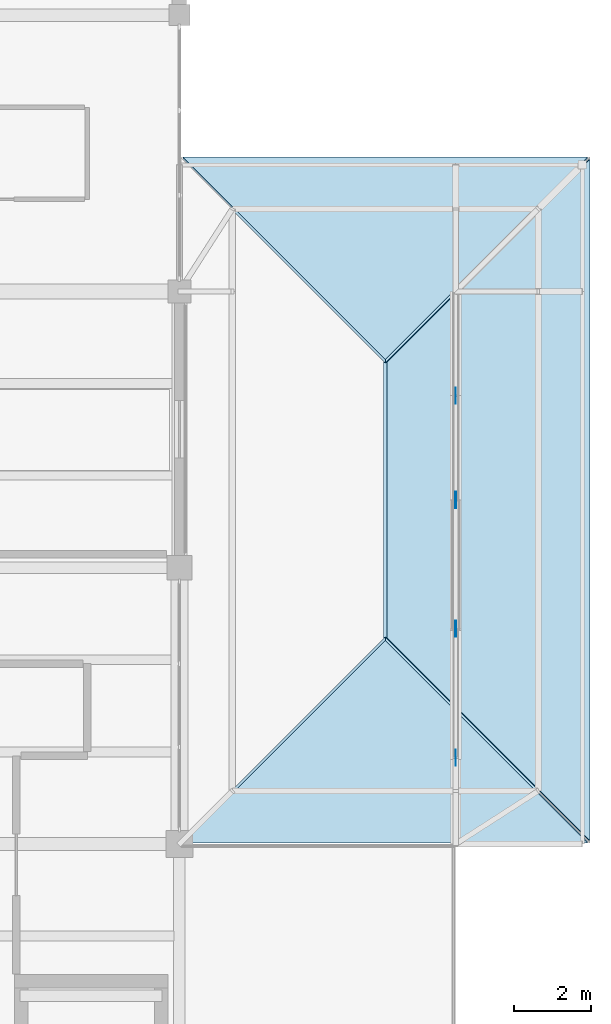
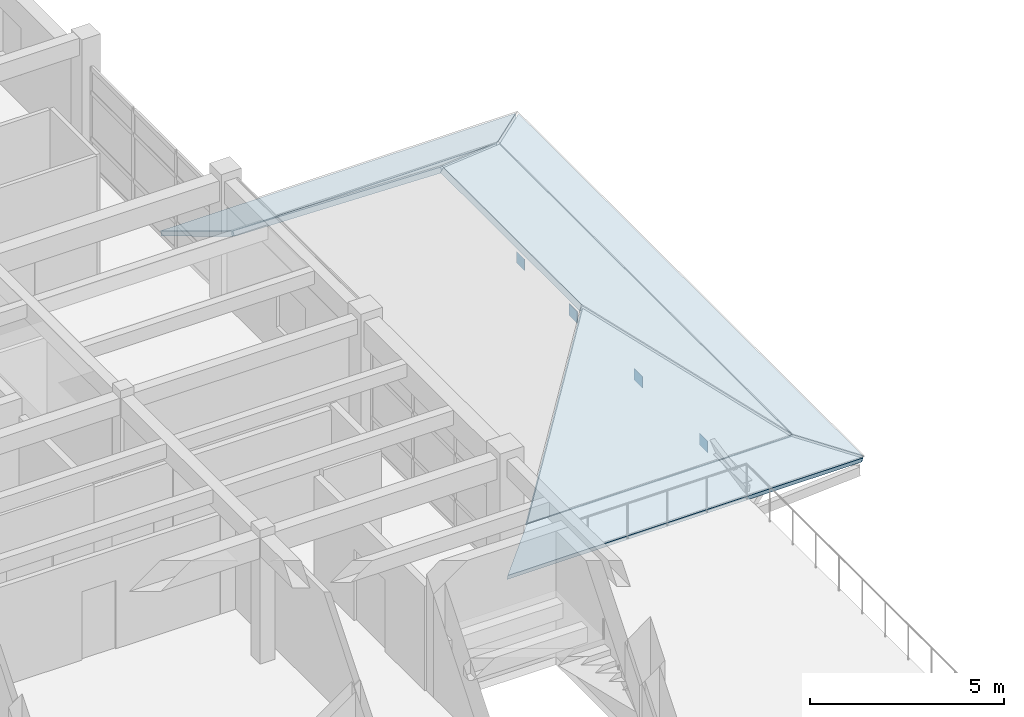
# One storey, part 31 of 55: 6 slabs, 4 plates, 1 element without a shape of its own.
"""IFC4 building model written with IfcOpenShell, lengths in metres."""

from ifc_helpers import new_model, si_unit, direction, frame, origin, origin_2d, place, context, subcontext, project, spatial, polyline, rectangle, outline, extrude, material, layer, layer_set, type_object, element, aggregate, save


model = new_model("IFC4")

# Units and contexts
model_context = context("Model", 3, precision=1e-05, world=origin(), true_north=direction((0.0, 1.0)))
body_context = subcontext(model_context, "Body", "Model", "MODEL_VIEW")
ifc_project = project(units=[si_unit("LENGTHUNIT", "METRE"), si_unit("AREAUNIT", "SQUARE_METRE"), si_unit("VOLUMEUNIT", "CUBIC_METRE"), si_unit("PLANEANGLEUNIT", "RADIAN"), si_unit("MASSUNIT", "GRAM", prefix="KILO")], contexts=[model_context])

# Site, building, storey
site_placement = place(None, origin())
site = spatial("IfcSite", under=ifc_project, at=site_placement, CompositionType="ELEMENT")
building_placement = place(site_placement, origin())
building = spatial("IfcBuilding", under=site, at=building_placement, Name="Steenspoor Specialist Clinic", CompositionType="ELEMENT")
storey_placement = place(building_placement, frame((0.0, 0.0, 13.199951171875)))
storey = spatial("IfcBuildingStorey", under=building, at=storey_placement, Name="L03", CompositionType="ELEMENT", Elevation=13.199951171875)

# Plates
ifc_material_1 = material(Name="Steel A572 Grade 50", Category="steel")
ifc_layer_1 = layer(ifc_material_1, 0.010009765625)
ifc_layer_set_1 = layer_set([ifc_layer_1], Name="Steel A572 Grade 50")
plate_type_1 = type_object("IfcPlateType", Name="PL-CAP-10", PredefinedType="SHEET", material=ifc_layer_set_1)
for number, where, z_axis, x_axis, name in (
    (1, (154.0, 81.800048828125, 0.1513671875), (0.0, 0.0, 1.0), (1.0, 0.0, 0.0), "Truss Gusset Plate GP-10"),
    (2, (154.0, 91.232421875, 0.1513671875), (0.0, 0.0, 1.0), (1.0, 0.0, 0.0), "Truss Gusset Plate GP-10"),
):
    element("IfcPlate", number, at=place(storey_placement, frame(where, z_axis=z_axis, x_axis=x_axis)), inside=storey, type_object=plate_type_1, Name=name, PredefinedType="SHEET", context=body_context, shape_type="SweptSolid", body=[
        extrude(rectangle(XDim=0.010009765625, YDim=0.419921875, at=origin_2d()), origin(), (0.0, 0.0, 1.0), 0.360107421875),
    ])
ifc_layer_2 = layer(ifc_material_1, 0.01611328125)
ifc_layer_set_2 = layer_set([ifc_layer_2], Name="Steel A572 Grade 50")
plate_type_2 = type_object("IfcPlateType", Name="PL-GUS-16", PredefinedType="SHEET", material=ifc_layer_set_2)
plate_1_placement = place(storey_placement, frame((154.0, 85.157470703125, 0.1513671875), z_axis=(0.0, 0.0, 1.0), x_axis=(1.0, 0.0, 0.0)))
element("IfcPlate", 3, at=plate_1_placement, inside=storey, type_object=plate_type_2, Name="Truss Gusset Plate GP-16", PredefinedType="SHEET", context=body_context, shape_type="SweptSolid", body=[
    extrude(rectangle(XDim=0.01611328125, YDim=0.419921875, at=origin_2d()), origin(), (0.0, 0.0, 1.0), 0.360107421875),
])
ifc_layer_3 = layer(ifc_material_1, 0.02392578125)
ifc_layer_set_3 = layer_set([ifc_layer_3], Name="Steel A572 Grade 50")
plate_type_3 = type_object("IfcPlateType", Name="PL-GUS-24", PredefinedType="SHEET", material=ifc_layer_set_3)
plate_2_placement = place(storey_placement, frame((154.0, 88.514892578125, 0.1513671875), z_axis=(0.0, 0.0, 1.0), x_axis=(1.0, 0.0, 0.0)))
element("IfcPlate", 4, at=plate_2_placement, inside=storey, type_object=plate_type_3, Name="Truss Gusset Plate GP-24", PredefinedType="SHEET", context=body_context, shape_type="SweptSolid", body=[
    extrude(rectangle(XDim=0.02392578125, YDim=0.419921875, at=origin_2d()), origin(), (0.0, 0.0, 1.0), 0.360107421875),
])

# Roof, slabs
ifc_material_2 = material(Name="Extruded terracotta clay roof tile", Category="masonry")
roof_type = type_object("IfcRoofType", Name="ROOF-HIP-TIER", PredefinedType="HIP_ROOF", material=ifc_material_2)
roof_placement = place(storey_placement, origin())
roof = element("IfcRoof", 5, at=roof_placement, inside=storey, type_object=roof_type, Name="Tiered Hipped Roof V6T2", PredefinedType="HIP_ROOF")
ifc_material_3 = material(Name="Concrete C35/45", Category="concrete")
ifc_layer_4 = layer(ifc_material_3, 0.14990234375)
ifc_layer_set_4 = layer_set([ifc_layer_4], Name="Concrete C35/45")
slab_type = type_object("IfcSlabType", Name="SL-ROOF-150", PredefinedType="ROOF", material=ifc_layer_set_4)
slab_1_placement = place(storey_placement, frame((148.23046875, 80.9208984375, 0.33447265625), z_axis=(0.0, -0.242036762378, 0.970267079549), x_axis=(-0.696421983868, -0.696295200328, -0.173693449463)))
slab_1 = element("IfcSlab", 6, at=slab_1_placement, type_object=slab_type, Name="Hipped Roof Slab RSLAB-V6T2-SKS", PredefinedType="ROOF", context=body_context, shape_type="SweptSolid", body=[
    extrude(outline(polyline([(0.0, 0.0), (1.9256492244505445, -1.1102230246251565e-16), (-5.422486834824596, 7.571934044579693), (-5.480242525395815, 5.64715114361823), (0.0, 0.0)])), origin(), (0.0, 0.0, -1.0), 0.14990234375),
])
slab_2_placement = place(storey_placement, frame((156.099609375, 96.10888671875, 0.33447265625), z_axis=(0.0, 0.241995280227, 0.970277426486), x_axis=(0.696360507135, 0.696360507135, -0.173678116653)))
slab_2 = element("IfcSlab", 7, at=slab_2_placement, type_object=slab_type, Name="Hipped Roof Slab RSLAB-V6T2-SKN", PredefinedType="ROOF", context=body_context, shape_type="SweptSolid", body=[
    extrude(outline(polyline([(0.0, 0.0), (1.9258192263683114, -5.551115123125783e-17), (-5.421668175335555, 7.572563476319465), (-5.47975875634502, 5.647620574036952), (0.0, 0.0)])), origin(), (0.0, 0.0, -1.0), 0.14990234375),
])
slab_3_placement = place(storey_placement, frame((156.158935546875, 80.98046875, 0.33447265625), z_axis=(0.241995280227, 0.0, 0.970277426486), x_axis=(0.696360507135, -0.696360507135, -0.173678116653)))
slab_3 = element("IfcSlab", 8, at=slab_3_placement, type_object=slab_type, Name="Hipped Roof Slab RSLAB-V6T2-SKE", PredefinedType="ROOF", context=body_context, shape_type="SweptSolid", body=[
    extrude(outline(polyline([(0.0, 0.0), (1.9258192263683114, -5.551115123125783e-17), (-10.43542982473277, 12.739912022761628), (-10.493520405742233, 10.814969120479114), (0.0, 0.0)])), origin(), (0.0, 0.0, -1.0), 0.14990234375),
])
slab_4_placement = place(storey_placement, frame((156.14111328125, 96.031494140625, 0.343505859375), z_axis=(0.609451554739, 0.0, 0.792823310976), x_axis=(-0.621274827845, -0.621236272873, 0.477580445111)))
slab_4 = element("IfcSlab", 9, at=slab_4_placement, type_object=slab_type, Name="Hipped Roof Slab RSLAB-V6T2-E", PredefinedType="ROOF", context=body_context, shape_type="SweptSolid", body=[
    extrude(outline(polyline([(0.0, 0.0), (6.332273343333696, 2.220446049250313e-16), (10.783607174521817, 5.614882946625454), (9.339171078716129, 11.7803684051044), (0.0, 0.0)])), origin(), (0.0, 0.0, -1.0), 0.14990234375),
])
slab_5_placement = place(storey_placement, frame((152.1650390625, 84.855712890625, 3.354248046875), z_axis=(0.0, -0.609438459598, 0.792833377175), x_axis=(-0.621264790732, -0.621264790732, -0.477556404619)))
slab_5 = element("IfcSlab", 10, at=slab_5_placement, type_object=slab_type, Name="Hipped Roof Slab RSLAB-V6T2-S", PredefinedType="ROOF", context=body_context, shape_type="SweptSolid", body=[
    extrude(outline(polyline([(0.0, 0.0), (6.30447452568337, 0.0), (1.4379508902727727, 6.138141727520363), (0.0, 0.0)])), origin(), (0.0, 0.0, -1.0), 0.14990234375),
])
slab_6_placement = place(storey_placement, frame((152.1650390625, 92.17431640625, 3.354248046875), z_axis=(0.0, 0.609438459598, 0.792833377175), x_axis=(0.621241011575, 0.621279737482, -0.47756789395)))
slab_6 = element("IfcSlab", 11, at=slab_6_placement, type_object=slab_type, Name="Hipped Roof Slab RSLAB-V6T2-N", PredefinedType="ROOF", context=body_context, shape_type="SweptSolid", body=[
    extrude(outline(polyline([(0.0, 0.0), (6.304322852611763, 4.440892098500626e-16), (1.437985485332931, 6.138289402509657), (0.0, 0.0)])), origin(), (0.0, 0.0, -1.0), 0.14990234375),
])
aggregate(roof, [slab_1, slab_2, slab_3, slab_4, slab_5, slab_6])

save(model, "model.ifc")
